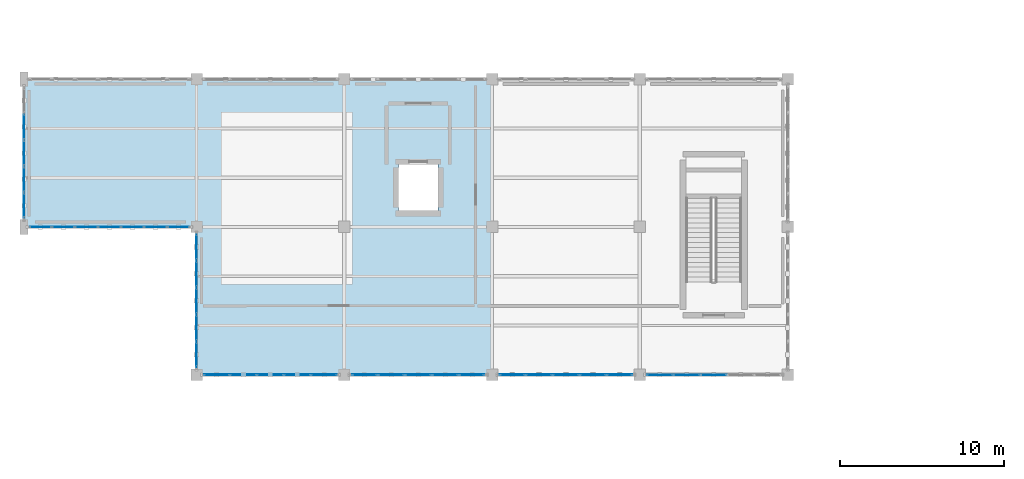
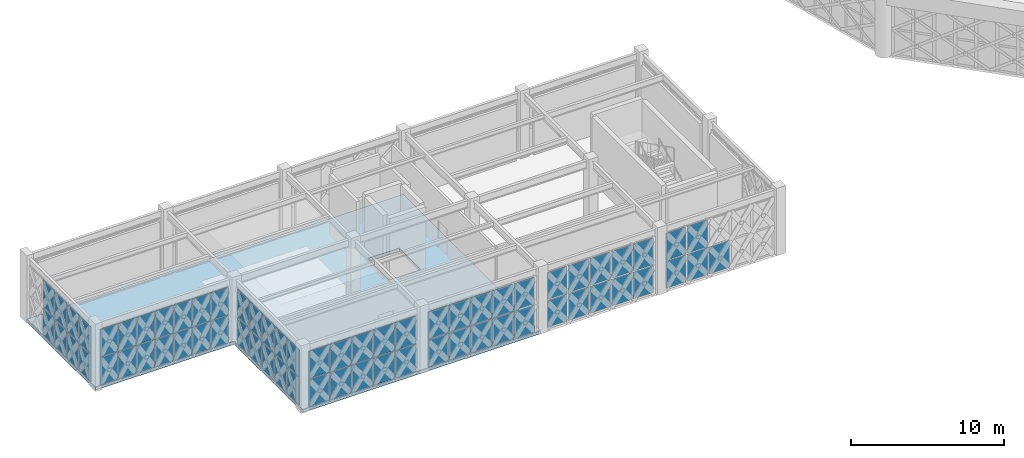
# One storey, part 56 of 72: 67 plates, 1 slab, 7 elements without a shape of their own.
"""IFC4 building model written with IfcOpenShell, lengths in metres."""

from ifc_helpers import new_model, si_unit, direction, frame, origin, origin_2d, place, context, subcontext, project, spatial, polyline, rectangle, outline, extrude, material, layer, layer_set, type_object, element, aggregate, save


model = new_model("IFC4")

# Units and contexts
model_context = context("Model", 3, precision=1e-05, world=origin(), true_north=direction((0.0, 1.0)))
body_context = subcontext(model_context, "Body", "Model", "MODEL_VIEW")
ifc_project = project(units=[si_unit("LENGTHUNIT", "METRE"), si_unit("AREAUNIT", "SQUARE_METRE"), si_unit("VOLUMEUNIT", "CUBIC_METRE"), si_unit("PLANEANGLEUNIT", "RADIAN"), si_unit("MASSUNIT", "GRAM", prefix="KILO")], contexts=[model_context])

# Site, building, storey
site_placement = place(None, origin())
site = spatial("IfcSite", under=ifc_project, at=site_placement, CompositionType="ELEMENT")
building_placement = place(site_placement, origin())
building = spatial("IfcBuilding", under=site, at=building_placement, Name="Haizhuo Lancet Aquarium", CompositionType="ELEMENT")
storey_placement = place(building_placement, frame((0.0, 0.0, 21.60009765625)))
storey = spatial("IfcBuildingStorey", under=building, at=storey_placement, Name="L04", CompositionType="ELEMENT", Elevation=21.60009765625)

# Curtain wall, plates
ifc_material_1 = material(Name="Aluminium 6063-T6", Category="aluminium")
curtain_wall_type_1 = type_object("IfcCurtainWallType", Name="CWD-8010x4550", PredefinedType="NOTDEFINED", material=ifc_material_1)
curtain_wall_1_placement = place(storey_placement, origin())
curtain_wall_1 = element("IfcCurtainWall", 1, at=curtain_wall_1_placement, inside=storey, type_object=curtain_wall_type_1, Name="L04 curtain wall CW-V6-L04-245", PredefinedType="NOTDEFINED")
ifc_material_2 = material(Name="Laminated Low-E Glass", Category="glass")
ifc_layer_1 = layer(ifc_material_2, 0.028076171875)
ifc_layer_set_1 = layer_set([ifc_layer_1], Name="Laminated Low-E Glass")
plate_type_1 = type_object("IfcPlateType", Name="CW-PNL-1", PredefinedType="CURTAIN_PANEL", material=ifc_layer_set_1)
plate_1_placement = place(storey_placement, frame((-82.5, -16.68505859375, 0.074951171875), z_axis=(0.0, 0.0, 1.0), x_axis=(0.0, 1.0, 0.0)))
plate_1 = element("IfcPlate", 2, at=plate_1_placement, type_object=plate_type_1, Name="CWD-80x45 panel 1.1", PredefinedType="CURTAIN_PANEL", context=body_context, shape_type="SweptSolid", body=[
    extrude(rectangle(XDim=1.489013671875, YDim=0.028076171875, at=origin_2d()), origin(), (0.0, 0.0, 1.0), 2.162109375),
])
plate_2_placement = place(storey_placement, frame((-82.5, -16.68505859375, 2.312744140625), z_axis=(0.0, 0.0, 1.0), x_axis=(0.0, 1.0, 0.0)))
plate_2 = element("IfcPlate", 3, at=plate_2_placement, type_object=plate_type_1, Name="CWD-80x45 panel 1.2", PredefinedType="CURTAIN_PANEL", context=body_context, shape_type="SweptSolid", body=[
    extrude(rectangle(XDim=1.489013671875, YDim=0.028076171875, at=origin_2d()), origin(), (0.0, 0.0, 1.0), 2.162109375),
])
plate_3_placement = place(storey_placement, frame((-82.5, -15.10205078125, 0.074951171875), z_axis=(0.0, 0.0, 1.0), x_axis=(0.0, 1.0, 0.0)))
plate_3 = element("IfcPlate", 4, at=plate_3_placement, type_object=plate_type_1, Name="CWD-80x45 panel 2.1", PredefinedType="CURTAIN_PANEL", context=body_context, shape_type="SweptSolid", body=[
    extrude(rectangle(XDim=1.527099609375, YDim=0.028076171875, at=origin_2d()), origin(), (0.0, 0.0, 1.0), 2.162109375),
])
plate_4_placement = place(storey_placement, frame((-82.5, -15.10205078125, 2.312744140625), z_axis=(0.0, 0.0, 1.0), x_axis=(0.0, 1.0, 0.0)))
plate_4 = element("IfcPlate", 5, at=plate_4_placement, type_object=plate_type_1, Name="CWD-80x45 panel 2.2", PredefinedType="CURTAIN_PANEL", context=body_context, shape_type="SweptSolid", body=[
    extrude(rectangle(XDim=1.527099609375, YDim=0.028076171875, at=origin_2d()), origin(), (0.0, 0.0, 1.0), 2.162109375),
])
plate_5_placement = place(storey_placement, frame((-82.5, -13.5, 0.074951171875), z_axis=(0.0, 0.0, 1.0), x_axis=(0.0, 1.0, 0.0)))
plate_5 = element("IfcPlate", 6, at=plate_5_placement, type_object=plate_type_1, Name="CWD-80x45 panel 3.1", PredefinedType="CURTAIN_PANEL", context=body_context, shape_type="SweptSolid", body=[
    extrude(rectangle(XDim=1.527099609375, YDim=0.028076171875, at=origin_2d()), origin(), (0.0, 0.0, 1.0), 2.162109375),
])
plate_6_placement = place(storey_placement, frame((-82.5, -13.5, 2.312744140625), z_axis=(0.0, 0.0, 1.0), x_axis=(0.0, 1.0, 0.0)))
plate_6 = element("IfcPlate", 7, at=plate_6_placement, type_object=plate_type_1, Name="CWD-80x45 panel 3.2", PredefinedType="CURTAIN_PANEL", context=body_context, shape_type="SweptSolid", body=[
    extrude(rectangle(XDim=1.527099609375, YDim=0.028076171875, at=origin_2d()), origin(), (0.0, 0.0, 1.0), 2.162109375),
])
plate_7_placement = place(storey_placement, frame((-82.5, -11.89794921875, 0.074951171875), z_axis=(0.0, 0.0, 1.0), x_axis=(0.0, 1.0, 0.0)))
plate_7 = element("IfcPlate", 8, at=plate_7_placement, type_object=plate_type_1, Name="CWD-80x45 panel 4.1", PredefinedType="CURTAIN_PANEL", context=body_context, shape_type="SweptSolid", body=[
    extrude(rectangle(XDim=1.527099609375, YDim=0.028076171875, at=origin_2d()), origin(), (0.0, 0.0, 1.0), 2.162109375),
])
plate_8_placement = place(storey_placement, frame((-82.5, -11.89794921875, 2.312744140625), z_axis=(0.0, 0.0, 1.0), x_axis=(0.0, 1.0, 0.0)))
plate_8 = element("IfcPlate", 9, at=plate_8_placement, type_object=plate_type_1, Name="CWD-80x45 panel 4.2", PredefinedType="CURTAIN_PANEL", context=body_context, shape_type="SweptSolid", body=[
    extrude(rectangle(XDim=1.527099609375, YDim=0.028076171875, at=origin_2d()), origin(), (0.0, 0.0, 1.0), 2.162109375),
])
aggregate(curtain_wall_1, [plate_1, plate_2, plate_3, plate_4, plate_5, plate_6, plate_7, plate_8])

curtain_wall_type_2 = type_object("IfcCurtainWallType", Name="CWD-8210x4550", PredefinedType="NOTDEFINED", material=ifc_material_1)
curtain_wall_2_placement = place(storey_placement, origin())
curtain_wall_2 = element("IfcCurtainWall", 10, at=curtain_wall_2_placement, inside=storey, type_object=curtain_wall_type_2, Name="L04 curtain wall CW-V6-L04-253", PredefinedType="NOTDEFINED")
plate_9_placement = place(storey_placement, frame((-40.5, -27.0, 0.06494140625), z_axis=(0.0, 0.0, 1.0), x_axis=(-1.0, 0.0, 0.0)))
plate_9 = element("IfcPlate", 11, at=plate_9_placement, type_object=plate_type_1, Name="CWD-82x45 panel 3.1", PredefinedType="CURTAIN_PANEL", context=body_context, shape_type="SweptSolid", body=[
    extrude(rectangle(XDim=1.576904296875, YDim=0.028076171875, at=origin_2d()), origin(), (0.0, 0.0, 1.0), 2.177978515625),
])
plate_10_placement = place(storey_placement, frame((-42.14208984375, -27.0, 0.06494140625), z_axis=(0.0, 0.0, 1.0), x_axis=(-1.0, 0.0, 0.0)))
plate_10 = element("IfcPlate", 12, at=plate_10_placement, type_object=plate_type_1, Name="CWD-82x45 panel 4.1", PredefinedType="CURTAIN_PANEL", context=body_context, shape_type="SweptSolid", body=[
    extrude(rectangle(XDim=1.576904296875, YDim=0.028076171875, at=origin_2d()), origin(), (0.0, 0.0, 1.0), 2.177978515625),
])
plate_11_placement = place(storey_placement, frame((-42.14208984375, -27.0, 2.30712890625), z_axis=(0.0, 0.0, 1.0), x_axis=(-1.0, 0.0, 0.0)))
plate_11 = element("IfcPlate", 13, at=plate_11_placement, type_object=plate_type_1, Name="CWD-82x45 panel 4.2", PredefinedType="CURTAIN_PANEL", context=body_context, shape_type="SweptSolid", body=[
    extrude(rectangle(XDim=1.576904296875, YDim=0.028076171875, at=origin_2d()), origin(), (0.0, 0.0, 1.0), 2.177978515625),
])
plate_12_placement = place(storey_placement, frame((-43.76806640625, -27.0, 0.06494140625), z_axis=(0.0, 0.0, 1.0), x_axis=(-1.0, 0.0, 0.0)))
plate_12 = element("IfcPlate", 14, at=plate_12_placement, type_object=plate_type_1, Name="CWD-82x45 panel 5.1", PredefinedType="CURTAIN_PANEL", context=body_context, shape_type="SweptSolid", body=[
    extrude(rectangle(XDim=1.5439453125, YDim=0.028076171875, at=origin_2d()), origin(), (0.0, 0.0, 1.0), 2.177978515625),
])
plate_13_placement = place(storey_placement, frame((-43.76806640625, -27.0, 2.30712890625), z_axis=(0.0, 0.0, 1.0), x_axis=(-1.0, 0.0, 0.0)))
plate_13 = element("IfcPlate", 15, at=plate_13_placement, type_object=plate_type_1, Name="CWD-82x45 panel 5.2", PredefinedType="CURTAIN_PANEL", context=body_context, shape_type="SweptSolid", body=[
    extrude(rectangle(XDim=1.5439453125, YDim=0.028076171875, at=origin_2d()), origin(), (0.0, 0.0, 1.0), 2.177978515625),
])
aggregate(curtain_wall_2, [plate_9, plate_10, plate_11, plate_12, plate_13])

curtain_wall_3_placement = place(storey_placement, origin())
curtain_wall_3 = element("IfcCurtainWall", 16, at=curtain_wall_3_placement, inside=storey, type_object=curtain_wall_type_2, Name="L04 curtain wall CW-V6-L04-257", PredefinedType="NOTDEFINED")
plate_14_placement = place(storey_placement, frame((-72.0, -25.764892578125, 0.074951171875), z_axis=(0.0, 0.0, 1.0), x_axis=(0.0, 1.0, 0.0)))
plate_14 = element("IfcPlate", 17, at=plate_14_placement, type_object=plate_type_1, Name="CWD-82x45 panel 1.1", PredefinedType="CURTAIN_PANEL", context=body_context, shape_type="SweptSolid", body=[
    extrude(rectangle(XDim=1.530029296875, YDim=0.028076171875, at=origin_2d()), origin(), (0.0, 0.0, 1.0), 2.162109375),
])
plate_15_placement = place(storey_placement, frame((-72.0, -25.764892578125, 2.312744140625), z_axis=(0.0, 0.0, 1.0), x_axis=(0.0, 1.0, 0.0)))
plate_15 = element("IfcPlate", 18, at=plate_15_placement, type_object=plate_type_1, Name="CWD-82x45 panel 1.2", PredefinedType="CURTAIN_PANEL", context=body_context, shape_type="SweptSolid", body=[
    extrude(rectangle(XDim=1.530029296875, YDim=0.028076171875, at=origin_2d()), origin(), (0.0, 0.0, 1.0), 2.162109375),
])
plate_16_placement = place(storey_placement, frame((-72.0, -24.14208984375, 0.074951171875), z_axis=(0.0, 0.0, 1.0), x_axis=(0.0, 1.0, 0.0)))
plate_16 = element("IfcPlate", 19, at=plate_16_placement, type_object=plate_type_1, Name="CWD-82x45 panel 2.1", PredefinedType="CURTAIN_PANEL", context=body_context, shape_type="SweptSolid", body=[
    extrude(rectangle(XDim=1.56689453125, YDim=0.028076171875, at=origin_2d()), origin(), (0.0, 0.0, 1.0), 2.162109375),
])
plate_17_placement = place(storey_placement, frame((-72.0, -24.14208984375, 2.312744140625), z_axis=(0.0, 0.0, 1.0), x_axis=(0.0, 1.0, 0.0)))
plate_17 = element("IfcPlate", 20, at=plate_17_placement, type_object=plate_type_1, Name="CWD-82x45 panel 2.2", PredefinedType="CURTAIN_PANEL", context=body_context, shape_type="SweptSolid", body=[
    extrude(rectangle(XDim=1.56689453125, YDim=0.028076171875, at=origin_2d()), origin(), (0.0, 0.0, 1.0), 2.162109375),
])
plate_18_placement = place(storey_placement, frame((-72.0, -22.5, 0.074951171875), z_axis=(0.0, 0.0, 1.0), x_axis=(0.0, 1.0, 0.0)))
plate_18 = element("IfcPlate", 21, at=plate_18_placement, type_object=plate_type_1, Name="CWD-82x45 panel 3.1", PredefinedType="CURTAIN_PANEL", context=body_context, shape_type="SweptSolid", body=[
    extrude(rectangle(XDim=1.56689453125, YDim=0.028076171875, at=origin_2d()), origin(), (0.0, 0.0, 1.0), 2.162109375),
])
plate_19_placement = place(storey_placement, frame((-72.0, -22.5, 2.312744140625), z_axis=(0.0, 0.0, 1.0), x_axis=(0.0, 1.0, 0.0)))
plate_19 = element("IfcPlate", 22, at=plate_19_placement, type_object=plate_type_1, Name="CWD-82x45 panel 3.2", PredefinedType="CURTAIN_PANEL", context=body_context, shape_type="SweptSolid", body=[
    extrude(rectangle(XDim=1.56689453125, YDim=0.028076171875, at=origin_2d()), origin(), (0.0, 0.0, 1.0), 2.162109375),
])
plate_20_placement = place(storey_placement, frame((-72.0, -20.85791015625, 0.074951171875), z_axis=(0.0, 0.0, 1.0), x_axis=(0.0, 1.0, 0.0)))
plate_20 = element("IfcPlate", 23, at=plate_20_placement, type_object=plate_type_1, Name="CWD-82x45 panel 4.1", PredefinedType="CURTAIN_PANEL", context=body_context, shape_type="SweptSolid", body=[
    extrude(rectangle(XDim=1.56689453125, YDim=0.028076171875, at=origin_2d()), origin(), (0.0, 0.0, 1.0), 2.162109375),
])
plate_21_placement = place(storey_placement, frame((-72.0, -20.85791015625, 2.312744140625), z_axis=(0.0, 0.0, 1.0), x_axis=(0.0, 1.0, 0.0)))
plate_21 = element("IfcPlate", 24, at=plate_21_placement, type_object=plate_type_1, Name="CWD-82x45 panel 4.2", PredefinedType="CURTAIN_PANEL", context=body_context, shape_type="SweptSolid", body=[
    extrude(rectangle(XDim=1.56689453125, YDim=0.028076171875, at=origin_2d()), origin(), (0.0, 0.0, 1.0), 2.162109375),
])
plate_22_placement = place(storey_placement, frame((-72.0, -19.235107421875, 0.074951171875), z_axis=(0.0, 0.0, 1.0), x_axis=(0.0, 1.0, 0.0)))
plate_22 = element("IfcPlate", 25, at=plate_22_placement, type_object=plate_type_1, Name="CWD-82x45 panel 5.1", PredefinedType="CURTAIN_PANEL", context=body_context, shape_type="SweptSolid", body=[
    extrude(rectangle(XDim=1.530029296875, YDim=0.028076171875, at=origin_2d()), origin(), (0.0, 0.0, 1.0), 2.162109375),
])
plate_23_placement = place(storey_placement, frame((-72.0, -19.235107421875, 2.312744140625), z_axis=(0.0, 0.0, 1.0), x_axis=(0.0, 1.0, 0.0)))
plate_23 = element("IfcPlate", 26, at=plate_23_placement, type_object=plate_type_1, Name="CWD-82x45 panel 5.2", PredefinedType="CURTAIN_PANEL", context=body_context, shape_type="SweptSolid", body=[
    extrude(rectangle(XDim=1.530029296875, YDim=0.028076171875, at=origin_2d()), origin(), (0.0, 0.0, 1.0), 2.162109375),
])
aggregate(curtain_wall_3, [plate_14, plate_15, plate_16, plate_17, plate_18, plate_19, plate_20, plate_21, plate_22, plate_23])

curtain_wall_4_placement = place(storey_placement, origin())
curtain_wall_4 = element("IfcCurtainWall", 27, at=curtain_wall_4_placement, inside=storey, type_object=curtain_wall_type_2, Name="L04 curtain wall CW-V6-L04-254", PredefinedType="NOTDEFINED")
ifc_layer_2 = layer(ifc_material_2, 0.033935546875)
ifc_layer_set_2 = layer_set([ifc_layer_2], Name="Laminated Low-E Glass")
plate_type_2 = type_object("IfcPlateType", Name="CW-PNL-2", PredefinedType="CURTAIN_PANEL", material=ifc_layer_set_2)
plate_24_placement = place(storey_placement, frame((-46.235107421875, -27.0, 0.074951171875), z_axis=(0.0, 0.0, 1.0), x_axis=(-1.0, 0.0, 0.0)))
plate_24 = element("IfcPlate", 28, at=plate_24_placement, type_object=plate_type_2, Name="CWD-82x45 panel 1.1", PredefinedType="CURTAIN_PANEL", context=body_context, shape_type="SweptSolid", body=[
    extrude(rectangle(XDim=1.529052734375, YDim=0.033935546875, at=origin_2d()), origin(), (0.0, 0.0, 1.0), 2.162109375),
])
plate_25_placement = place(storey_placement, frame((-46.235107421875, -27.0, 2.312744140625), z_axis=(0.0, 0.0, 1.0), x_axis=(-1.0, 0.0, 0.0)))
plate_25 = element("IfcPlate", 29, at=plate_25_placement, type_object=plate_type_2, Name="CWD-82x45 panel 1.2", PredefinedType="CURTAIN_PANEL", context=body_context, shape_type="SweptSolid", body=[
    extrude(rectangle(XDim=1.529052734375, YDim=0.033935546875, at=origin_2d()), origin(), (0.0, 0.0, 1.0), 2.162109375),
])
plate_26_placement = place(storey_placement, frame((-47.85791015625, -27.0, 0.074951171875), z_axis=(0.0, 0.0, 1.0), x_axis=(-1.0, 0.0, 0.0)))
plate_26 = element("IfcPlate", 30, at=plate_26_placement, type_object=plate_type_2, Name="CWD-82x45 panel 2.1", PredefinedType="CURTAIN_PANEL", context=body_context, shape_type="SweptSolid", body=[
    extrude(rectangle(XDim=1.56689453125, YDim=0.033935546875, at=origin_2d()), origin(), (0.0, 0.0, 1.0), 2.162109375),
])
plate_27_placement = place(storey_placement, frame((-47.85791015625, -27.0, 2.312744140625), z_axis=(0.0, 0.0, 1.0), x_axis=(-1.0, 0.0, 0.0)))
plate_27 = element("IfcPlate", 31, at=plate_27_placement, type_object=plate_type_2, Name="CWD-82x45 panel 2.2", PredefinedType="CURTAIN_PANEL", context=body_context, shape_type="SweptSolid", body=[
    extrude(rectangle(XDim=1.56689453125, YDim=0.033935546875, at=origin_2d()), origin(), (0.0, 0.0, 1.0), 2.162109375),
])
plate_28_placement = place(storey_placement, frame((-49.5, -27.0, 0.074951171875), z_axis=(0.0, 0.0, 1.0), x_axis=(-1.0, 0.0, 0.0)))
plate_28 = element("IfcPlate", 32, at=plate_28_placement, type_object=plate_type_2, Name="CWD-82x45 panel 3.1", PredefinedType="CURTAIN_PANEL", context=body_context, shape_type="SweptSolid", body=[
    extrude(rectangle(XDim=1.56689453125, YDim=0.033935546875, at=origin_2d()), origin(), (0.0, 0.0, 1.0), 2.162109375),
])
plate_29_placement = place(storey_placement, frame((-49.5, -27.0, 2.312744140625), z_axis=(0.0, 0.0, 1.0), x_axis=(-1.0, 0.0, 0.0)))
plate_29 = element("IfcPlate", 33, at=plate_29_placement, type_object=plate_type_2, Name="CWD-82x45 panel 3.2", PredefinedType="CURTAIN_PANEL", context=body_context, shape_type="SweptSolid", body=[
    extrude(rectangle(XDim=1.56689453125, YDim=0.033935546875, at=origin_2d()), origin(), (0.0, 0.0, 1.0), 2.162109375),
])
plate_30_placement = place(storey_placement, frame((-51.14208984375, -27.0, 0.074951171875), z_axis=(0.0, 0.0, 1.0), x_axis=(-1.0, 0.0, 0.0)))
plate_30 = element("IfcPlate", 34, at=plate_30_placement, type_object=plate_type_2, Name="CWD-82x45 panel 4.1", PredefinedType="CURTAIN_PANEL", context=body_context, shape_type="SweptSolid", body=[
    extrude(rectangle(XDim=1.56689453125, YDim=0.033935546875, at=origin_2d()), origin(), (0.0, 0.0, 1.0), 2.162109375),
])
plate_31_placement = place(storey_placement, frame((-51.14208984375, -27.0, 2.312744140625), z_axis=(0.0, 0.0, 1.0), x_axis=(-1.0, 0.0, 0.0)))
plate_31 = element("IfcPlate", 35, at=plate_31_placement, type_object=plate_type_2, Name="CWD-82x45 panel 4.2", PredefinedType="CURTAIN_PANEL", context=body_context, shape_type="SweptSolid", body=[
    extrude(rectangle(XDim=1.56689453125, YDim=0.033935546875, at=origin_2d()), origin(), (0.0, 0.0, 1.0), 2.162109375),
])
plate_32_placement = place(storey_placement, frame((-52.764892578125, -27.0, 0.074951171875), z_axis=(0.0, 0.0, 1.0), x_axis=(-1.0, 0.0, 0.0)))
plate_32 = element("IfcPlate", 36, at=plate_32_placement, type_object=plate_type_2, Name="CWD-82x45 panel 5.1", PredefinedType="CURTAIN_PANEL", context=body_context, shape_type="SweptSolid", body=[
    extrude(rectangle(XDim=1.529052734375, YDim=0.033935546875, at=origin_2d()), origin(), (0.0, 0.0, 1.0), 2.162109375),
])
plate_33_placement = place(storey_placement, frame((-52.764892578125, -27.0, 2.312744140625), z_axis=(0.0, 0.0, 1.0), x_axis=(-1.0, 0.0, 0.0)))
plate_33 = element("IfcPlate", 37, at=plate_33_placement, type_object=plate_type_2, Name="CWD-82x45 panel 5.2", PredefinedType="CURTAIN_PANEL", context=body_context, shape_type="SweptSolid", body=[
    extrude(rectangle(XDim=1.529052734375, YDim=0.033935546875, at=origin_2d()), origin(), (0.0, 0.0, 1.0), 2.162109375),
])
aggregate(curtain_wall_4, [plate_24, plate_25, plate_26, plate_27, plate_28, plate_29, plate_30, plate_31, plate_32, plate_33])

curtain_wall_5_placement = place(storey_placement, origin())
curtain_wall_5 = element("IfcCurtainWall", 38, at=curtain_wall_5_placement, inside=storey, type_object=curtain_wall_type_2, Name="L04 curtain wall CW-V6-L04-255", PredefinedType="NOTDEFINED")
ifc_layer_3 = layer(ifc_material_2, 0.0419921875)
ifc_layer_set_3 = layer_set([ifc_layer_3], Name="Laminated Low-E Glass")
plate_type_3 = type_object("IfcPlateType", Name="CW-PNL-3", PredefinedType="CURTAIN_PANEL", material=ifc_layer_set_3)
plate_34_placement = place(storey_placement, frame((-55.236083984375, -27.0, 0.08056640625), z_axis=(0.0, 0.0, 1.0), x_axis=(-1.0, 0.0, 0.0)))
plate_34 = element("IfcPlate", 39, at=plate_34_placement, type_object=plate_type_3, Name="CWD-82x45 panel 1.1", PredefinedType="CURTAIN_PANEL", context=body_context, shape_type="SweptSolid", body=[
    extrude(rectangle(XDim=1.52197265625, YDim=0.0419921875, at=origin_2d()), origin(), (0.0, 0.0, 1.0), 2.155029296875),
])
plate_35_placement = place(storey_placement, frame((-55.236083984375, -27.0, 2.314453125), z_axis=(0.0, 0.0, 1.0), x_axis=(-1.0, 0.0, 0.0)))
plate_35 = element("IfcPlate", 40, at=plate_35_placement, type_object=plate_type_3, Name="CWD-82x45 panel 1.2", PredefinedType="CURTAIN_PANEL", context=body_context, shape_type="SweptSolid", body=[
    extrude(rectangle(XDim=1.52197265625, YDim=0.0419921875, at=origin_2d()), origin(), (0.0, 0.0, 1.0), 2.155029296875),
])
plate_36_placement = place(storey_placement, frame((-56.85791015625, -27.0, 0.08056640625), z_axis=(0.0, 0.0, 1.0), x_axis=(-1.0, 0.0, 0.0)))
plate_36 = element("IfcPlate", 41, at=plate_36_placement, type_object=plate_type_3, Name="CWD-82x45 panel 2.1", PredefinedType="CURTAIN_PANEL", context=body_context, shape_type="SweptSolid", body=[
    extrude(rectangle(XDim=1.56201171875, YDim=0.0419921875, at=origin_2d()), origin(), (0.0, 0.0, 1.0), 2.155029296875),
])
plate_37_placement = place(storey_placement, frame((-56.85791015625, -27.0, 2.314453125), z_axis=(0.0, 0.0, 1.0), x_axis=(-1.0, 0.0, 0.0)))
plate_37 = element("IfcPlate", 42, at=plate_37_placement, type_object=plate_type_3, Name="CWD-82x45 panel 2.2", PredefinedType="CURTAIN_PANEL", context=body_context, shape_type="SweptSolid", body=[
    extrude(rectangle(XDim=1.56201171875, YDim=0.0419921875, at=origin_2d()), origin(), (0.0, 0.0, 1.0), 2.155029296875),
])
plate_38_placement = place(storey_placement, frame((-58.5, -27.0, 0.08056640625), z_axis=(0.0, 0.0, 1.0), x_axis=(-1.0, 0.0, 0.0)))
plate_38 = element("IfcPlate", 43, at=plate_38_placement, type_object=plate_type_3, Name="CWD-82x45 panel 3.1", PredefinedType="CURTAIN_PANEL", context=body_context, shape_type="SweptSolid", body=[
    extrude(rectangle(XDim=1.56201171875, YDim=0.0419921875, at=origin_2d()), origin(), (0.0, 0.0, 1.0), 2.155029296875),
])
plate_39_placement = place(storey_placement, frame((-58.5, -27.0, 2.314453125), z_axis=(0.0, 0.0, 1.0), x_axis=(-1.0, 0.0, 0.0)))
plate_39 = element("IfcPlate", 44, at=plate_39_placement, type_object=plate_type_3, Name="CWD-82x45 panel 3.2", PredefinedType="CURTAIN_PANEL", context=body_context, shape_type="SweptSolid", body=[
    extrude(rectangle(XDim=1.56201171875, YDim=0.0419921875, at=origin_2d()), origin(), (0.0, 0.0, 1.0), 2.155029296875),
])
plate_40_placement = place(storey_placement, frame((-60.14208984375, -27.0, 0.08056640625), z_axis=(0.0, 0.0, 1.0), x_axis=(-1.0, 0.0, 0.0)))
plate_40 = element("IfcPlate", 45, at=plate_40_placement, type_object=plate_type_3, Name="CWD-82x45 panel 4.1", PredefinedType="CURTAIN_PANEL", context=body_context, shape_type="SweptSolid", body=[
    extrude(rectangle(XDim=1.56201171875, YDim=0.0419921875, at=origin_2d()), origin(), (0.0, 0.0, 1.0), 2.155029296875),
])
plate_41_placement = place(storey_placement, frame((-60.14208984375, -27.0, 2.314453125), z_axis=(0.0, 0.0, 1.0), x_axis=(-1.0, 0.0, 0.0)))
plate_41 = element("IfcPlate", 46, at=plate_41_placement, type_object=plate_type_3, Name="CWD-82x45 panel 4.2", PredefinedType="CURTAIN_PANEL", context=body_context, shape_type="SweptSolid", body=[
    extrude(rectangle(XDim=1.56201171875, YDim=0.0419921875, at=origin_2d()), origin(), (0.0, 0.0, 1.0), 2.155029296875),
])
plate_42_placement = place(storey_placement, frame((-61.763916015625, -27.0, 0.08056640625), z_axis=(0.0, 0.0, 1.0), x_axis=(-1.0, 0.0, 0.0)))
plate_42 = element("IfcPlate", 47, at=plate_42_placement, type_object=plate_type_3, Name="CWD-82x45 panel 5.1", PredefinedType="CURTAIN_PANEL", context=body_context, shape_type="SweptSolid", body=[
    extrude(rectangle(XDim=1.52197265625, YDim=0.0419921875, at=origin_2d()), origin(), (0.0, 0.0, 1.0), 2.155029296875),
])
plate_43_placement = place(storey_placement, frame((-61.763916015625, -27.0, 2.314453125), z_axis=(0.0, 0.0, 1.0), x_axis=(-1.0, 0.0, 0.0)))
plate_43 = element("IfcPlate", 48, at=plate_43_placement, type_object=plate_type_3, Name="CWD-82x45 panel 5.2", PredefinedType="CURTAIN_PANEL", context=body_context, shape_type="SweptSolid", body=[
    extrude(rectangle(XDim=1.52197265625, YDim=0.0419921875, at=origin_2d()), origin(), (0.0, 0.0, 1.0), 2.155029296875),
])
aggregate(curtain_wall_5, [plate_34, plate_35, plate_36, plate_37, plate_38, plate_39, plate_40, plate_41, plate_42, plate_43])

curtain_wall_type_3 = type_object("IfcCurtainWallType", Name="CWD-9810x4550", PredefinedType="NOTDEFINED", material=ifc_material_1)
curtain_wall_6_placement = place(storey_placement, origin())
curtain_wall_6 = element("IfcCurtainWall", 49, at=curtain_wall_6_placement, inside=storey, type_object=curtain_wall_type_3, Name="L04 curtain wall CW-V6-L04-244", PredefinedType="NOTDEFINED")
ifc_layer_4 = layer(ifc_material_2, 0.052001953125)
ifc_layer_set_4 = layer_set([ifc_layer_4], Name="Laminated Low-E Glass")
plate_type_4 = type_object("IfcPlateType", Name="CW-PNL-4", PredefinedType="CURTAIN_PANEL", material=ifc_layer_set_4)
plate_44_placement = place(storey_placement, frame((-73.112060546875, -18.0, 0.06494140625), z_axis=(0.0, 0.0, 1.0), x_axis=(-1.0, 0.0, 0.0)))
plate_44 = element("IfcPlate", 50, at=plate_44_placement, type_object=plate_type_4, Name="CWD-98x45 panel 1.1", PredefinedType="CURTAIN_PANEL", context=body_context, shape_type="SweptSolid", body=[
    extrude(rectangle(XDim=1.303955078125, YDim=0.052001953125, at=origin_2d()), origin(), (0.0, 0.0, 1.0), 2.177978515625),
])
plate_45_placement = place(storey_placement, frame((-73.112060546875, -18.0, 2.30712890625), z_axis=(0.0, 0.0, 1.0), x_axis=(-1.0, 0.0, 0.0)))
plate_45 = element("IfcPlate", 51, at=plate_45_placement, type_object=plate_type_4, Name="CWD-98x45 panel 1.2", PredefinedType="CURTAIN_PANEL", context=body_context, shape_type="SweptSolid", body=[
    extrude(rectangle(XDim=1.303955078125, YDim=0.052001953125, at=origin_2d()), origin(), (0.0, 0.0, 1.0), 2.177978515625),
])
plate_46_placement = place(storey_placement, frame((-74.4970703125, -18.0, 0.06494140625), z_axis=(0.0, 0.0, 1.0), x_axis=(-1.0, 0.0, 0.0)))
plate_46 = element("IfcPlate", 52, at=plate_46_placement, type_object=plate_type_4, Name="CWD-98x45 panel 2.1", PredefinedType="CURTAIN_PANEL", context=body_context, shape_type="SweptSolid", body=[
    extrude(rectangle(XDim=1.3359375, YDim=0.052001953125, at=origin_2d()), origin(), (0.0, 0.0, 1.0), 2.177978515625),
])
plate_47_placement = place(storey_placement, frame((-74.4970703125, -18.0, 2.30712890625), z_axis=(0.0, 0.0, 1.0), x_axis=(-1.0, 0.0, 0.0)))
plate_47 = element("IfcPlate", 53, at=plate_47_placement, type_object=plate_type_4, Name="CWD-98x45 panel 2.2", PredefinedType="CURTAIN_PANEL", context=body_context, shape_type="SweptSolid", body=[
    extrude(rectangle(XDim=1.3359375, YDim=0.052001953125, at=origin_2d()), origin(), (0.0, 0.0, 1.0), 2.177978515625),
])
plate_48_placement = place(storey_placement, frame((-75.89892578125, -18.0, 0.06494140625), z_axis=(0.0, 0.0, 1.0), x_axis=(-1.0, 0.0, 0.0)))
plate_48 = element("IfcPlate", 54, at=plate_48_placement, type_object=plate_type_4, Name="CWD-98x45 panel 3.1", PredefinedType="CURTAIN_PANEL", context=body_context, shape_type="SweptSolid", body=[
    extrude(rectangle(XDim=1.3359375, YDim=0.052001953125, at=origin_2d()), origin(), (0.0, 0.0, 1.0), 2.177978515625),
])
plate_49_placement = place(storey_placement, frame((-75.89892578125, -18.0, 2.30712890625), z_axis=(0.0, 0.0, 1.0), x_axis=(-1.0, 0.0, 0.0)))
plate_49 = element("IfcPlate", 55, at=plate_49_placement, type_object=plate_type_4, Name="CWD-98x45 panel 3.2", PredefinedType="CURTAIN_PANEL", context=body_context, shape_type="SweptSolid", body=[
    extrude(rectangle(XDim=1.3359375, YDim=0.052001953125, at=origin_2d()), origin(), (0.0, 0.0, 1.0), 2.177978515625),
])
plate_50_placement = place(storey_placement, frame((-77.300048828125, -18.0, 0.06494140625), z_axis=(0.0, 0.0, 1.0), x_axis=(-1.0, 0.0, 0.0)))
plate_50 = element("IfcPlate", 56, at=plate_50_placement, type_object=plate_type_4, Name="CWD-98x45 panel 4.1", PredefinedType="CURTAIN_PANEL", context=body_context, shape_type="SweptSolid", body=[
    extrude(rectangle(XDim=1.3359375, YDim=0.052001953125, at=origin_2d()), origin(), (0.0, 0.0, 1.0), 2.177978515625),
])
plate_51_placement = place(storey_placement, frame((-77.300048828125, -18.0, 2.30712890625), z_axis=(0.0, 0.0, 1.0), x_axis=(-1.0, 0.0, 0.0)))
plate_51 = element("IfcPlate", 57, at=plate_51_placement, type_object=plate_type_4, Name="CWD-98x45 panel 4.2", PredefinedType="CURTAIN_PANEL", context=body_context, shape_type="SweptSolid", body=[
    extrude(rectangle(XDim=1.3359375, YDim=0.052001953125, at=origin_2d()), origin(), (0.0, 0.0, 1.0), 2.177978515625),
])
plate_52_placement = place(storey_placement, frame((-78.700927734375, -18.0, 0.06494140625), z_axis=(0.0, 0.0, 1.0), x_axis=(-1.0, 0.0, 0.0)))
plate_52 = element("IfcPlate", 58, at=plate_52_placement, type_object=plate_type_4, Name="CWD-98x45 panel 5.1", PredefinedType="CURTAIN_PANEL", context=body_context, shape_type="SweptSolid", body=[
    extrude(rectangle(XDim=1.3359375, YDim=0.052001953125, at=origin_2d()), origin(), (0.0, 0.0, 1.0), 2.177978515625),
])
plate_53_placement = place(storey_placement, frame((-78.700927734375, -18.0, 2.30712890625), z_axis=(0.0, 0.0, 1.0), x_axis=(-1.0, 0.0, 0.0)))
plate_53 = element("IfcPlate", 59, at=plate_53_placement, type_object=plate_type_4, Name="CWD-98x45 panel 5.2", PredefinedType="CURTAIN_PANEL", context=body_context, shape_type="SweptSolid", body=[
    extrude(rectangle(XDim=1.3359375, YDim=0.052001953125, at=origin_2d()), origin(), (0.0, 0.0, 1.0), 2.177978515625),
])
plate_54_placement = place(storey_placement, frame((-80.10302734375, -18.0, 0.06494140625), z_axis=(0.0, 0.0, 1.0), x_axis=(-1.0, 0.0, 0.0)))
plate_54 = element("IfcPlate", 60, at=plate_54_placement, type_object=plate_type_4, Name="CWD-98x45 panel 6.1", PredefinedType="CURTAIN_PANEL", context=body_context, shape_type="SweptSolid", body=[
    extrude(rectangle(XDim=1.3359375, YDim=0.052001953125, at=origin_2d()), origin(), (0.0, 0.0, 1.0), 2.177978515625),
])
plate_55_placement = place(storey_placement, frame((-80.10302734375, -18.0, 2.30712890625), z_axis=(0.0, 0.0, 1.0), x_axis=(-1.0, 0.0, 0.0)))
plate_55 = element("IfcPlate", 61, at=plate_55_placement, type_object=plate_type_4, Name="CWD-98x45 panel 6.2", PredefinedType="CURTAIN_PANEL", context=body_context, shape_type="SweptSolid", body=[
    extrude(rectangle(XDim=1.3359375, YDim=0.052001953125, at=origin_2d()), origin(), (0.0, 0.0, 1.0), 2.177978515625),
])
plate_56_placement = place(storey_placement, frame((-81.488037109375, -18.0, 0.06494140625), z_axis=(0.0, 0.0, 1.0), x_axis=(-1.0, 0.0, 0.0)))
plate_56 = element("IfcPlate", 62, at=plate_56_placement, type_object=plate_type_4, Name="CWD-98x45 panel 7.1", PredefinedType="CURTAIN_PANEL", context=body_context, shape_type="SweptSolid", body=[
    extrude(rectangle(XDim=1.303955078125, YDim=0.052001953125, at=origin_2d()), origin(), (0.0, 0.0, 1.0), 2.177978515625),
])
plate_57_placement = place(storey_placement, frame((-81.488037109375, -18.0, 2.30712890625), z_axis=(0.0, 0.0, 1.0), x_axis=(-1.0, 0.0, 0.0)))
plate_57 = element("IfcPlate", 63, at=plate_57_placement, type_object=plate_type_4, Name="CWD-98x45 panel 7.2", PredefinedType="CURTAIN_PANEL", context=body_context, shape_type="SweptSolid", body=[
    extrude(rectangle(XDim=1.303955078125, YDim=0.052001953125, at=origin_2d()), origin(), (0.0, 0.0, 1.0), 2.177978515625),
])
aggregate(curtain_wall_6, [plate_44, plate_45, plate_46, plate_47, plate_48, plate_49, plate_50, plate_51, plate_52, plate_53, plate_54, plate_55, plate_56, plate_57])

curtain_wall_7_placement = place(storey_placement, origin())
curtain_wall_7 = element("IfcCurtainWall", 64, at=curtain_wall_7_placement, inside=storey, type_object=curtain_wall_type_2, Name="L04 curtain wall CW-V6-L04-256", PredefinedType="NOTDEFINED")
plate_58_placement = place(storey_placement, frame((-64.23193359375, -27.0, 0.06494140625), z_axis=(0.0, 0.0, 1.0), x_axis=(-1.0, 0.0, 0.0)))
plate_58 = element("IfcPlate", 65, at=plate_58_placement, type_object=plate_type_4, Name="CWD-82x45 panel 1.1", PredefinedType="CURTAIN_PANEL", context=body_context, shape_type="SweptSolid", body=[
    extrude(rectangle(XDim=1.544921875, YDim=0.052001953125, at=origin_2d()), origin(), (0.0, 0.0, 1.0), 2.177978515625),
])
plate_59_placement = place(storey_placement, frame((-64.23193359375, -27.0, 2.30712890625), z_axis=(0.0, 0.0, 1.0), x_axis=(-1.0, 0.0, 0.0)))
plate_59 = element("IfcPlate", 66, at=plate_59_placement, type_object=plate_type_4, Name="CWD-82x45 panel 1.2", PredefinedType="CURTAIN_PANEL", context=body_context, shape_type="SweptSolid", body=[
    extrude(rectangle(XDim=1.544921875, YDim=0.052001953125, at=origin_2d()), origin(), (0.0, 0.0, 1.0), 2.177978515625),
])
plate_60_placement = place(storey_placement, frame((-65.85791015625, -27.0, 0.06494140625), z_axis=(0.0, 0.0, 1.0), x_axis=(-1.0, 0.0, 0.0)))
plate_60 = element("IfcPlate", 67, at=plate_60_placement, type_object=plate_type_4, Name="CWD-82x45 panel 2.1", PredefinedType="CURTAIN_PANEL", context=body_context, shape_type="SweptSolid", body=[
    extrude(rectangle(XDim=1.576904296875, YDim=0.052001953125, at=origin_2d()), origin(), (0.0, 0.0, 1.0), 2.177978515625),
])
plate_61_placement = place(storey_placement, frame((-65.85791015625, -27.0, 2.30712890625), z_axis=(0.0, 0.0, 1.0), x_axis=(-1.0, 0.0, 0.0)))
plate_61 = element("IfcPlate", 68, at=plate_61_placement, type_object=plate_type_4, Name="CWD-82x45 panel 2.2", PredefinedType="CURTAIN_PANEL", context=body_context, shape_type="SweptSolid", body=[
    extrude(rectangle(XDim=1.576904296875, YDim=0.052001953125, at=origin_2d()), origin(), (0.0, 0.0, 1.0), 2.177978515625),
])
plate_62_placement = place(storey_placement, frame((-67.5, -27.0, 0.06494140625), z_axis=(0.0, 0.0, 1.0), x_axis=(-1.0, 0.0, 0.0)))
plate_62 = element("IfcPlate", 69, at=plate_62_placement, type_object=plate_type_4, Name="CWD-82x45 panel 3.1", PredefinedType="CURTAIN_PANEL", context=body_context, shape_type="SweptSolid", body=[
    extrude(rectangle(XDim=1.576904296875, YDim=0.052001953125, at=origin_2d()), origin(), (0.0, 0.0, 1.0), 2.177978515625),
])
plate_63_placement = place(storey_placement, frame((-67.5, -27.0, 2.30712890625), z_axis=(0.0, 0.0, 1.0), x_axis=(-1.0, 0.0, 0.0)))
plate_63 = element("IfcPlate", 70, at=plate_63_placement, type_object=plate_type_4, Name="CWD-82x45 panel 3.2", PredefinedType="CURTAIN_PANEL", context=body_context, shape_type="SweptSolid", body=[
    extrude(rectangle(XDim=1.576904296875, YDim=0.052001953125, at=origin_2d()), origin(), (0.0, 0.0, 1.0), 2.177978515625),
])
plate_64_placement = place(storey_placement, frame((-69.14208984375, -27.0, 0.06494140625), z_axis=(0.0, 0.0, 1.0), x_axis=(-1.0, 0.0, 0.0)))
plate_64 = element("IfcPlate", 71, at=plate_64_placement, type_object=plate_type_4, Name="CWD-82x45 panel 4.1", PredefinedType="CURTAIN_PANEL", context=body_context, shape_type="SweptSolid", body=[
    extrude(rectangle(XDim=1.576904296875, YDim=0.052001953125, at=origin_2d()), origin(), (0.0, 0.0, 1.0), 2.177978515625),
])
plate_65_placement = place(storey_placement, frame((-69.14208984375, -27.0, 2.30712890625), z_axis=(0.0, 0.0, 1.0), x_axis=(-1.0, 0.0, 0.0)))
plate_65 = element("IfcPlate", 72, at=plate_65_placement, type_object=plate_type_4, Name="CWD-82x45 panel 4.2", PredefinedType="CURTAIN_PANEL", context=body_context, shape_type="SweptSolid", body=[
    extrude(rectangle(XDim=1.576904296875, YDim=0.052001953125, at=origin_2d()), origin(), (0.0, 0.0, 1.0), 2.177978515625),
])
plate_66_placement = place(storey_placement, frame((-70.76806640625, -27.0, 0.06494140625), z_axis=(0.0, 0.0, 1.0), x_axis=(-1.0, 0.0, 0.0)))
plate_66 = element("IfcPlate", 73, at=plate_66_placement, type_object=plate_type_4, Name="CWD-82x45 panel 5.1", PredefinedType="CURTAIN_PANEL", context=body_context, shape_type="SweptSolid", body=[
    extrude(rectangle(XDim=1.5439453125, YDim=0.052001953125, at=origin_2d()), origin(), (0.0, 0.0, 1.0), 2.177978515625),
])
plate_67_placement = place(storey_placement, frame((-70.76806640625, -27.0, 2.30712890625), z_axis=(0.0, 0.0, 1.0), x_axis=(-1.0, 0.0, 0.0)))
plate_67 = element("IfcPlate", 74, at=plate_67_placement, type_object=plate_type_4, Name="CWD-82x45 panel 5.2", PredefinedType="CURTAIN_PANEL", context=body_context, shape_type="SweptSolid", body=[
    extrude(rectangle(XDim=1.5439453125, YDim=0.052001953125, at=origin_2d()), origin(), (0.0, 0.0, 1.0), 2.177978515625),
])
aggregate(curtain_wall_7, [plate_58, plate_59, plate_60, plate_61, plate_62, plate_63, plate_64, plate_65, plate_66, plate_67])

# Slab
ifc_material_3 = material(Name="Concrete C40/50", Category="concrete")
ifc_layer_5 = layer(ifc_material_3, 0.25)
ifc_layer_set_5 = layer_set([ifc_layer_5], Name="Concrete C40/50")
slab_type = type_object("IfcSlabType", Name="SLB-TYP-250", PredefinedType="FLOOR", material=ifc_layer_set_5)
slab_placement = place(storey_placement, frame((0.0, 0.0, -0.25)))
element("IfcSlab", 75, at=slab_placement, inside=storey, type_object=slab_type, Name="L04 structural slab SL-L04-V6-01", PredefinedType="FLOOR", context=body_context, shape_type="SweptSolid", body=[
    extrude(outline(polyline([(-82.5, -9.0), (-82.5, -18.0), (-72.0, -18.0), (-72.0, -27.0), (-54.0, -27.0), (-54.0, -9.0), (-82.5, -9.0)]), holes=[polyline([(-59.699951171875, -14.199951171875), (-59.699951171875, -17.0), (-57.300048828125, -17.0), (-57.300048828125, -14.199951171875), (-59.699951171875, -14.199951171875)])]), origin(), (0.0, 0.0, 1.0), 0.25),
])

save(model, "model.ifc")
